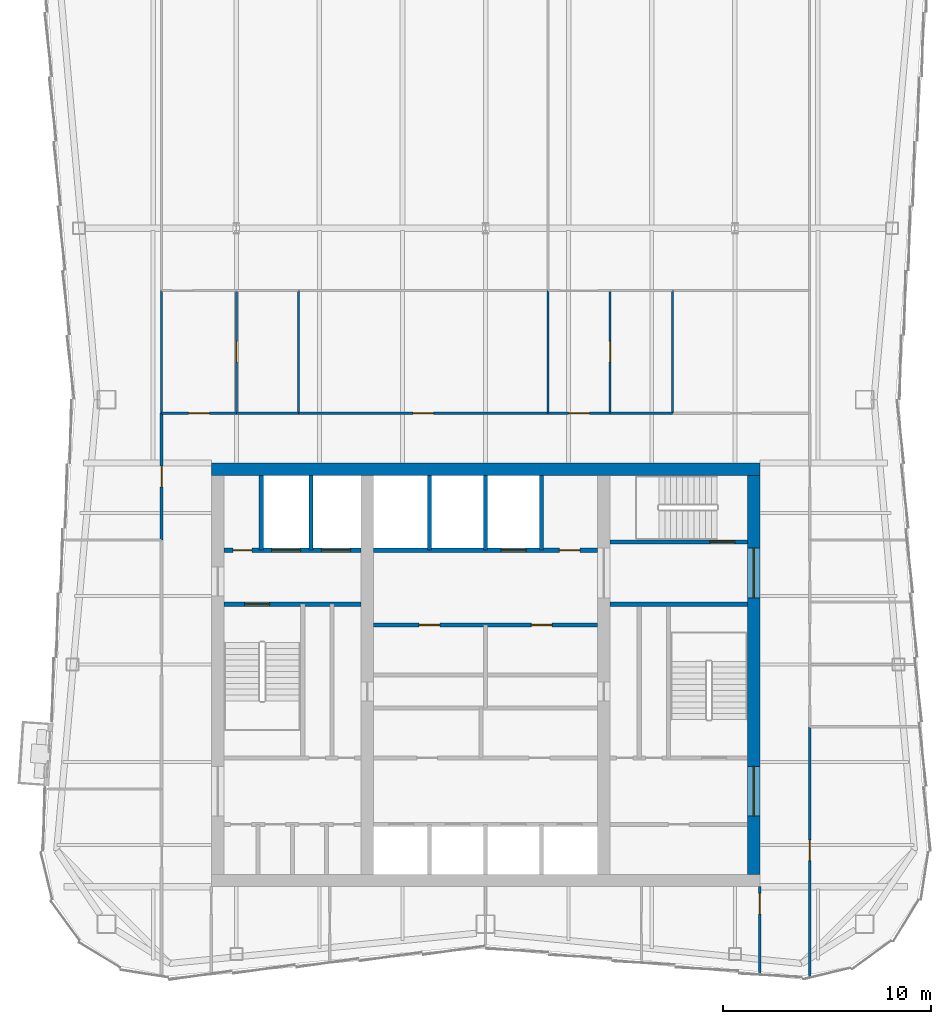
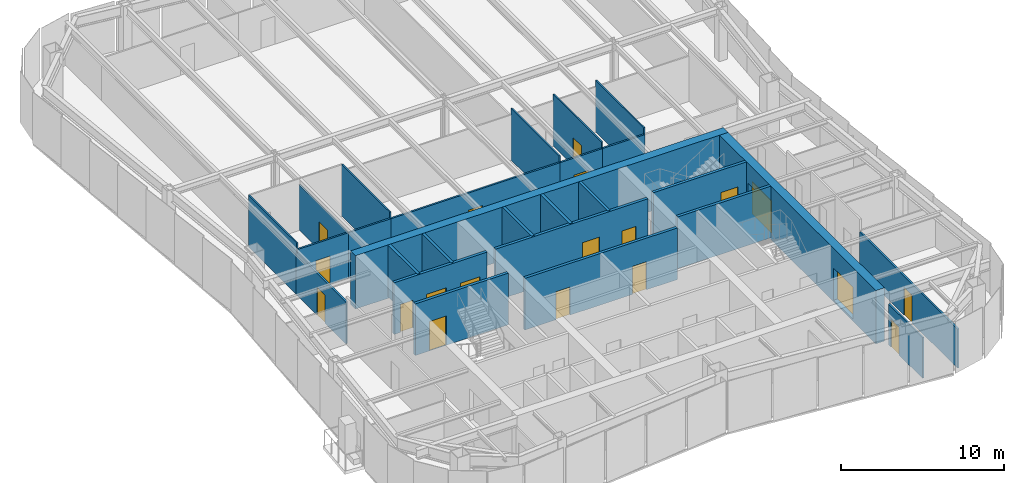
# One storey, part 7 of 10: 27 walls, 19 doors, 19 openings.
"""IFC4 building model written with IfcOpenShell, lengths in metres."""

from ifc_helpers import new_model, si_unit, direction, frame, frame_2d, origin, place, context, subcontext, project, spatial, rectangle, extrude, material, layer, layer_set, type_object, element, fill, save


model = new_model("IFC4")

# Units and contexts
model_context = context("Model", 3, precision=1e-05, world=origin(), true_north=direction((0.0, 1.0)))
body_context = subcontext(model_context, "Body", "Model", "MODEL_VIEW")
ifc_project = project(units=[si_unit("LENGTHUNIT", "METRE"), si_unit("AREAUNIT", "SQUARE_METRE"), si_unit("VOLUMEUNIT", "CUBIC_METRE"), si_unit("PLANEANGLEUNIT", "RADIAN"), si_unit("MASSUNIT", "GRAM", prefix="KILO")], contexts=[model_context])

# Site, building, storey
site_placement = place(None, origin())
site = spatial("IfcSite", under=ifc_project, at=site_placement, CompositionType="ELEMENT")
building_placement = place(site_placement, origin())
building = spatial("IfcBuilding", under=site, at=building_placement, Name="Verdant Reach Tower", CompositionType="ELEMENT")
storey_placement = place(building_placement, frame((0.0, 0.0, 302.0)))
storey = spatial("IfcBuildingStorey", under=building, at=storey_placement, Name="L69", CompositionType="ELEMENT", Elevation=302.0)

# Wall, openings, doors
ifc_material_1 = material(Name="Gypsum board on steel studs", Category="steel")
ifc_layer_1 = layer(ifc_material_1, 0.199951171875)
ifc_layer_set_1 = layer_set([ifc_layer_1], Name="CO-WALL-ROOM")
wall_type_1 = type_object("IfcWallType", Name="CO-WALL-ROOM", PredefinedType="PARTITIONING", material=ifc_layer_set_1)
wall_1_placement = place(storey_placement, frame((-5.39990234375, 30.39990234375, 0.0), z_axis=(0.0, 0.0, 1.0), x_axis=(1.0, 0.0, 0.0)))
wall_1 = element("IfcWall", 1, at=wall_1_placement, inside=storey, type_object=wall_type_1, Name="Core partition, L69", PredefinedType="PARTITIONING", context=body_context, shape_type="SweptSolid", body=[
    extrude(rectangle(XDim=10.7998046875, YDim=0.199951171875, at=frame_2d((5.39990234375, 0.0))), origin(), (0.0, 0.0, 1.0), 3.8701171875),
])
opening_1_placement = place(wall_1_placement, frame((2.199951171875, 0.0, 0.0)))
opening_1 = element("IfcOpeningElement", 2, at=opening_1_placement, cuts=wall_1, Name="Opening CD", PredefinedType="OPENING", context=body_context, shape_type="SweptSolid", body=[
    extrude(rectangle(XDim=1.0, YDim=2.10009765625, at=frame_2d((0.5, 1.050048828125))), frame((0.0, 0.10986328125, 0.0), z_axis=(0.0, -1.0, 0.0), x_axis=(1.0, 0.0, 0.0)), (0.0, 0.0, 1.0), 0.219970703125),
])
opening_2_placement = place(wall_1_placement, frame((7.60009765625, 0.0, 0.0)))
opening_2 = element("IfcOpeningElement", 3, at=opening_2_placement, cuts=wall_1, Name="Opening CD", PredefinedType="OPENING", context=body_context, shape_type="SweptSolid", body=[
    extrude(rectangle(XDim=1.0, YDim=2.10009765625, at=frame_2d((0.5, 1.050048828125))), frame((0.0, 0.10986328125, 0.0), z_axis=(0.0, -1.0, 0.0), x_axis=(1.0, 0.0, 0.0)), (0.0, 0.0, 1.0), 0.219970703125),
])
ifc_material_2 = material(Name="Timber", Category="wood")
door_type_1 = type_object("IfcDoorType", Name="CO-DOOR-ROOM", OperationType="NOTDEFINED", PredefinedType="DOOR", material=ifc_material_2)
door_1_placement = place(opening_1_placement, origin())
door_1 = element("IfcDoor", 4, at=door_1_placement, inside=storey, type_object=door_type_1, Name="Core room door, L69", OperationType="SINGLE_SWING_LEFT", OverallHeight=2.10009765625, OverallWidth=1.0, PredefinedType="DOOR", context=body_context, shape_type="SweptSolid", body=[
    extrude(rectangle(XDim=1.0, YDim=2.10009765625, at=frame_2d((0.5, 1.050048828125))), frame((0.0, 0.02490234375, 0.0), z_axis=(0.0, -1.0, 0.0), x_axis=(1.0, 0.0, 0.0)), (0.0, 0.0, 1.0), 0.050048828125),
])
fill(opening_1, door_1)
door_2_placement = place(opening_2_placement, origin())
door_2 = element("IfcDoor", 5, at=door_2_placement, inside=storey, type_object=door_type_1, Name="Core room door, L69", OperationType="SINGLE_SWING_RIGHT", OverallHeight=2.10009765625, OverallWidth=1.0, PredefinedType="DOOR", context=body_context, shape_type="SweptSolid", body=[
    extrude(rectangle(XDim=1.0, YDim=2.10009765625, at=frame_2d((0.5, 1.050048828125))), frame((0.0, 0.02490234375, 0.0), z_axis=(0.0, -1.0, 0.0), x_axis=(1.0, 0.0, 0.0)), (0.0, 0.0, 1.0), 0.050048828125),
])
fill(opening_2, door_2)

ifc_material_3 = material(Name="Concrete C40/50", Category="concrete")
ifc_layer_2 = layer(ifc_material_3, 0.199951171875)
ifc_layer_set_2 = layer_set([ifc_layer_2], Name="CO-WALL-SHAFT")
wall_type_2 = type_object("IfcWallType", Name="CO-WALL-SHAFT", PredefinedType="PARTITIONING", material=ifc_layer_set_2)
wall_2_placement = place(storey_placement, frame((-12.60009765625, 34.0, 0.0), z_axis=(0.0, 0.0, 1.0), x_axis=(1.0, 0.0, 0.0)))
wall_2 = element("IfcWall", 6, at=wall_2_placement, inside=storey, type_object=wall_type_2, Name="Lift shaft wall, L69", PredefinedType="PARTITIONING", context=body_context, shape_type="SweptSolid", body=[
    extrude(rectangle(XDim=6.60009765625, YDim=0.199951171875, at=frame_2d((3.300048828125, 0.0))), origin(), (0.0, 0.0, 1.0), 3.8701171875),
])
opening_3_placement = place(wall_2_placement, frame((4.699951171875, 0.0, 0.0)))
opening_3 = element("IfcOpeningElement", 7, at=opening_3_placement, cuts=wall_2, Name="Opening LD-F1", PredefinedType="OPENING", context=body_context, shape_type="SweptSolid", body=[
    extrude(rectangle(XDim=1.39990234375, YDim=2.199951171875, at=frame_2d((0.699951171875, 1.10009765625))), frame((0.0, 0.10986328125, 0.0), z_axis=(0.0, -1.0, 0.0), x_axis=(1.0, 0.0, 0.0)), (0.0, 0.0, 1.0), 0.219970703125),
])
opening_4_placement = place(wall_2_placement, frame((2.300048828125, 0.0, 0.0)))
opening_4 = element("IfcOpeningElement", 8, at=opening_4_placement, cuts=wall_2, Name="Opening LD-F2", PredefinedType="OPENING", context=body_context, shape_type="SweptSolid", body=[
    extrude(rectangle(XDim=1.39990234375, YDim=2.199951171875, at=frame_2d((0.699951171875, 1.10009765625))), frame((0.0, 0.10986328125, 0.0), z_axis=(0.0, -1.0, 0.0), x_axis=(1.0, 0.0, 0.0)), (0.0, 0.0, 1.0), 0.219970703125),
])
opening_5_placement = place(wall_2_placement, frame((0.449951171875, 0.0, 0.0)))
opening_5 = element("IfcOpeningElement", 9, at=opening_5_placement, cuts=wall_2, Name="Opening RD", PredefinedType="OPENING", context=body_context, shape_type="SweptSolid", body=[
    extrude(rectangle(XDim=0.89990234375, YDim=2.10009765625, at=frame_2d((0.449951171875, 1.050048828125))), frame((0.0, 0.10986328125, 0.0), z_axis=(0.0, -1.0, 0.0), x_axis=(1.0, 0.0, 0.0)), (0.0, 0.0, 1.0), 0.219970703125),
])
ifc_material_4 = material(Name="Stainless steel", Category="steel")
door_type_2 = type_object("IfcDoorType", Name="CO-DOOR-LANDING-FF", OperationType="SLIDING_TO_LEFT", PredefinedType="DOOR", material=ifc_material_4)
door_3_placement = place(opening_3_placement, origin())
door_3 = element("IfcDoor", 10, at=door_3_placement, inside=storey, type_object=door_type_2, Name="Landing door F1, L69", OperationType="SLIDING_TO_LEFT", OverallHeight=2.199951171875, OverallWidth=1.39990234375, PredefinedType="DOOR", context=body_context, shape_type="SweptSolid", body=[
    extrude(rectangle(XDim=1.39990234375, YDim=2.199951171875, at=frame_2d((0.699951171875, 1.10009765625))), frame((0.0, 0.02490234375, 0.0), z_axis=(0.0, -1.0, 0.0), x_axis=(1.0, 0.0, 0.0)), (0.0, 0.0, 1.0), 0.050048828125),
])
fill(opening_3, door_3)
door_4_placement = place(opening_4_placement, origin())
door_4 = element("IfcDoor", 11, at=door_4_placement, inside=storey, type_object=door_type_2, Name="Landing door F2, L69", OperationType="SLIDING_TO_LEFT", OverallHeight=2.199951171875, OverallWidth=1.39990234375, PredefinedType="DOOR", context=body_context, shape_type="SweptSolid", body=[
    extrude(rectangle(XDim=1.39990234375, YDim=2.199951171875, at=frame_2d((0.699951171875, 1.10009765625))), frame((0.0, 0.02490234375, 0.0), z_axis=(0.0, -1.0, 0.0), x_axis=(1.0, 0.0, 0.0)), (0.0, 0.0, 1.0), 0.050048828125),
])
fill(opening_4, door_4)
ifc_material_5 = material(Name="Steel", Category="steel")
door_type_3 = type_object("IfcDoorType", Name="CO-DOOR-RISER", OperationType="NOTDEFINED", PredefinedType="DOOR", material=ifc_material_5)
door_5_placement = place(opening_5_placement, origin())
door_5 = element("IfcDoor", 12, at=door_5_placement, inside=storey, type_object=door_type_3, Name="Core room door, L69", OperationType="SINGLE_SWING_RIGHT", OverallHeight=2.10009765625, OverallWidth=0.89990234375, PredefinedType="DOOR", context=body_context, shape_type="SweptSolid", body=[
    extrude(rectangle(XDim=0.89990234375, YDim=2.10009765625, at=frame_2d((0.449951171875, 1.050048828125))), frame((0.0, 0.02490234375, 0.0), z_axis=(0.0, -1.0, 0.0), x_axis=(1.0, 0.0, 0.0)), (0.0, 0.0, 1.0), 0.050048828125),
])
fill(opening_5, door_5)

wall_3_placement = place(storey_placement, frame((-5.39990234375, 34.0, 0.0), z_axis=(0.0, 0.0, 1.0), x_axis=(1.0, 0.0, 0.0)))
wall_3 = element("IfcWall", 13, at=wall_3_placement, inside=storey, type_object=wall_type_2, Name="Lift shaft wall, L69", PredefinedType="PARTITIONING", context=body_context, shape_type="SweptSolid", body=[
    extrude(rectangle(XDim=10.7998046875, YDim=0.199951171875, at=frame_2d((5.39990234375, 0.0))), origin(), (0.0, 0.0, 1.0), 3.8701171875),
])
opening_6_placement = place(wall_3_placement, frame((6.14990234375, 0.0, 0.0)))
opening_6 = element("IfcOpeningElement", 14, at=opening_6_placement, cuts=wall_3, Name="Opening LD-SL1", PredefinedType="OPENING", context=body_context, shape_type="SweptSolid", body=[
    extrude(rectangle(XDim=1.199951171875, YDim=2.199951171875, at=frame_2d((0.60009765625, 1.10009765625))), frame((0.0, 0.10986328125, 0.0), z_axis=(0.0, -1.0, 0.0), x_axis=(1.0, 0.0, 0.0)), (0.0, 0.0, 1.0), 0.219970703125),
])
opening_7_placement = place(wall_3_placement, frame((8.949951171875, 0.0, 0.0)))
opening_7 = element("IfcOpeningElement", 15, at=opening_7_placement, cuts=wall_3, Name="Opening CD", PredefinedType="OPENING", context=body_context, shape_type="SweptSolid", body=[
    extrude(rectangle(XDim=1.0, YDim=2.10009765625, at=frame_2d((0.5, 1.050048828125))), frame((0.0, 0.10986328125, 0.0), z_axis=(0.0, -1.0, 0.0), x_axis=(1.0, 0.0, 0.0)), (0.0, 0.0, 1.0), 0.219970703125),
])
door_type_4 = type_object("IfcDoorType", Name="CO-DOOR-LANDING", OperationType="SLIDING_TO_LEFT", PredefinedType="DOOR", material=ifc_material_4)
door_6_placement = place(opening_6_placement, origin())
door_6 = element("IfcDoor", 16, at=door_6_placement, inside=storey, type_object=door_type_4, Name="Landing door SL1, L69", OperationType="SLIDING_TO_LEFT", OverallHeight=2.199951171875, OverallWidth=1.199951171875, PredefinedType="DOOR", context=body_context, shape_type="SweptSolid", body=[
    extrude(rectangle(XDim=1.199951171875, YDim=2.199951171875, at=frame_2d((0.60009765625, 1.10009765625))), frame((0.0, 0.02490234375, 0.0), z_axis=(0.0, -1.0, 0.0), x_axis=(1.0, 0.0, 0.0)), (0.0, 0.0, 1.0), 0.050048828125),
])
fill(opening_6, door_6)
door_7_placement = place(opening_7_placement, origin())
door_7 = element("IfcDoor", 17, at=door_7_placement, inside=storey, type_object=door_type_1, Name="Core room door, L69", OperationType="SINGLE_SWING_LEFT", OverallHeight=2.10009765625, OverallWidth=1.0, PredefinedType="DOOR", context=body_context, shape_type="SweptSolid", body=[
    extrude(rectangle(XDim=1.0, YDim=2.10009765625, at=frame_2d((0.5, 1.050048828125))), frame((0.0, 0.02490234375, 0.0), z_axis=(0.0, -1.0, 0.0), x_axis=(1.0, 0.0, 0.0)), (0.0, 0.0, 1.0), 0.050048828125),
])
fill(opening_7, door_7)

# Walls
for number, where, z_axis, x_axis, name in (
    (18, (-10.800048828125, 34.0, 0.0), (0.0, 0.0, 1.0), (0.0, 1.0, 0.0), "Lift shaft wall, L69"),
    (19, (-8.39990234375, 34.0, 0.0), (0.0, 0.0, 1.0), (0.0, 1.0, 0.0), "Lift shaft wall, L69"),
    (20, (-2.699951171875, 34.0, 0.0), (0.0, 0.0, 1.0), (0.0, 1.0, 0.0), "Lift shaft wall, L69"),
    (21, (0.0, 34.0, 0.0), (0.0, 0.0, 1.0), (0.0, 1.0, 0.0), "Lift shaft wall, L69"),
    (22, (2.699951171875, 34.0, 0.0), (0.0, 0.0, 1.0), (0.0, 1.0, 0.0), "Lift shaft wall, L69"),
):
    element("IfcWall", number, at=place(storey_placement, frame(where, z_axis=z_axis, x_axis=x_axis)), inside=storey, type_object=wall_type_2, Name=name, PredefinedType="PARTITIONING", context=body_context, shape_type="SweptSolid", body=[
        extrude(rectangle(XDim=3.60009765625, YDim=0.199951171875, at=frame_2d((1.800048828125, 0.0))), origin(), (0.0, 0.0, 1.0), 3.8701171875),
    ])

# Wall, opening, door
ifc_layer_3 = layer(ifc_material_3, 0.199951171875)
ifc_layer_set_3 = layer_set([ifc_layer_3], Name="CO-WALL-STAIR")
wall_type_3 = type_object("IfcWallType", Name="CO-WALL-STAIR", PredefinedType="PARTITIONING", material=ifc_layer_set_3)
wall_4_placement = place(storey_placement, frame((-12.60009765625, 31.39990234375, 0.0), z_axis=(0.0, 0.0, 1.0), x_axis=(1.0, 0.0, 0.0)))
wall_4 = element("IfcWall", 23, at=wall_4_placement, inside=storey, type_object=wall_type_3, Name="Stair enclosure wall, L69", PredefinedType="PARTITIONING", context=body_context, shape_type="SweptSolid", body=[
    extrude(rectangle(XDim=6.60009765625, YDim=0.199951171875, at=frame_2d((3.300048828125, 0.0))), origin(), (0.0, 0.0, 1.0), 3.8701171875),
])
opening_8_placement = place(wall_4_placement, frame((1.0, 0.0, 0.0)))
opening_8 = element("IfcOpeningElement", 24, at=opening_8_placement, cuts=wall_4, Name="Opening SD", PredefinedType="OPENING", context=body_context, shape_type="SweptSolid", body=[
    extrude(rectangle(XDim=1.199951171875, YDim=2.199951171875, at=frame_2d((0.60009765625, 1.10009765625))), frame((0.0, 0.10986328125, 0.0), z_axis=(0.0, -1.0, 0.0), x_axis=(1.0, 0.0, 0.0)), (0.0, 0.0, 1.0), 0.219970703125),
])
door_type_5 = type_object("IfcDoorType", Name="CO-DOOR-STAIR", OperationType="NOTDEFINED", PredefinedType="DOOR", material=ifc_material_5)
door_8_placement = place(opening_8_placement, origin())
door_8 = element("IfcDoor", 25, at=door_8_placement, inside=storey, type_object=door_type_5, Name="Stair door, L69", OperationType="SINGLE_SWING_RIGHT", OverallHeight=2.199951171875, OverallWidth=1.199951171875, PredefinedType="DOOR", context=body_context, shape_type="SweptSolid", body=[
    extrude(rectangle(XDim=1.199951171875, YDim=2.199951171875, at=frame_2d((0.60009765625, 1.10009765625))), frame((0.0, 0.02490234375, 0.0), z_axis=(0.0, -1.0, 0.0), x_axis=(1.0, 0.0, 0.0)), (0.0, 0.0, 1.0), 0.050048828125),
])
fill(opening_8, door_8)

# Wall
wall_5_placement = place(storey_placement, frame((6.0, 31.39990234375, 0.0), z_axis=(0.0, 0.0, 1.0), x_axis=(1.0, 0.0, 0.0)))
element("IfcWall", 26, at=wall_5_placement, inside=storey, type_object=wall_type_3, Name="Stair enclosure wall, L69", PredefinedType="PARTITIONING", context=body_context, shape_type="SweptSolid", body=[
    extrude(rectangle(XDim=6.60009765625, YDim=0.199951171875, at=frame_2d((3.300048828125, 0.0))), origin(), (0.0, 0.0, 1.0), 3.8701171875),
])

# Wall, opening, door
wall_6_placement = place(storey_placement, frame((6.0, 34.39990234375, 0.0), z_axis=(0.0, 0.0, 1.0), x_axis=(1.0, 0.0, 0.0)))
wall_6 = element("IfcWall", 27, at=wall_6_placement, inside=storey, type_object=wall_type_3, Name="Stair enclosure wall, L69", PredefinedType="PARTITIONING", context=body_context, shape_type="SweptSolid", body=[
    extrude(rectangle(XDim=6.60009765625, YDim=0.199951171875, at=frame_2d((3.300048828125, 0.0))), origin(), (0.0, 0.0, 1.0), 3.8701171875),
])
opening_9_placement = place(wall_6_placement, frame((4.800048828125, 0.0, 0.0)))
opening_9 = element("IfcOpeningElement", 28, at=opening_9_placement, cuts=wall_6, Name="Opening SD", PredefinedType="OPENING", context=body_context, shape_type="SweptSolid", body=[
    extrude(rectangle(XDim=1.199951171875, YDim=2.199951171875, at=frame_2d((0.60009765625, 1.10009765625))), frame((0.0, 0.10986328125, 0.0), z_axis=(0.0, -1.0, 0.0), x_axis=(1.0, 0.0, 0.0)), (0.0, 0.0, 1.0), 0.219970703125),
])
door_9_placement = place(opening_9_placement, origin())
door_9 = element("IfcDoor", 29, at=door_9_placement, inside=storey, type_object=door_type_5, Name="Stair door, L69", OperationType="SINGLE_SWING_RIGHT", OverallHeight=2.199951171875, OverallWidth=1.199951171875, PredefinedType="DOOR", context=body_context, shape_type="SweptSolid", body=[
    extrude(rectangle(XDim=1.199951171875, YDim=2.199951171875, at=frame_2d((0.60009765625, 1.10009765625))), frame((0.0, 0.02490234375, 0.0), z_axis=(0.0, -1.0, 0.0), x_axis=(1.0, 0.0, 0.0)), (0.0, 0.0, 1.0), 0.050048828125),
])
fill(opening_9, door_9)

# Wall
ifc_layer_4 = layer(ifc_material_1, 0.10009765625)
ifc_layer_set_4 = layer_set([ifc_layer_4], Name="FL-W1 Partition 100")
wall_type_4 = type_object("IfcWallType", Name="FL-W1 Partition 100", PredefinedType="PARTITIONING", material=ifc_layer_set_4)
wall_7_placement = place(storey_placement, frame((-15.60009765625, 40.60009765625, 0.0), z_axis=(0.0, 0.0, 1.0), x_axis=(0.0, 1.0, 0.0)))
element("IfcWall", 30, at=wall_7_placement, inside=storey, type_object=wall_type_4, Name="Partition 69.19", PredefinedType="PARTITIONING", context=body_context, shape_type="SweptSolid", body=[
    extrude(rectangle(XDim=5.89990234375, YDim=0.10009765625, at=frame_2d((2.949951171875, 0.0))), origin(), (0.0, 0.0, 1.0), 3.8701171875),
])

# Wall, opening, door
wall_8_placement = place(storey_placement, frame((-12.0, 46.5, 0.0), z_axis=(0.0, 0.0, 1.0), x_axis=(0.0, -1.0, 0.0)))
wall_8 = element("IfcWall", 31, at=wall_8_placement, inside=storey, type_object=wall_type_4, Name="Partition 69.32", PredefinedType="PARTITIONING", context=body_context, shape_type="SweptSolid", body=[
    extrude(rectangle(XDim=5.89990234375, YDim=0.10009765625, at=frame_2d((2.949951171875, 0.0))), origin(), (0.0, 0.0, 1.0), 3.389892578125),
])
opening_10_placement = place(wall_8_placement, frame((2.449951171875, 0.0, 0.0)))
opening_10 = element("IfcOpeningElement", 32, at=opening_10_placement, cuts=wall_8, Name="Opening D3", PredefinedType="OPENING", context=body_context, shape_type="SweptSolid", body=[
    extrude(rectangle(XDim=1.0, YDim=2.10009765625, at=frame_2d((0.5, 1.050048828125))), frame((0.0, 0.06005859375, 0.0), z_axis=(0.0, -1.0, 0.0), x_axis=(1.0, 0.0, 0.0)), (0.0, 0.0, 1.0), 0.1201171875),
])
ifc_material_6 = material(Name="Painted timber door leaf", Category="wood")
door_type_6 = type_object("IfcDoorType", Name="FL-D3 Door 1000x2100", OperationType="NOTDEFINED", PredefinedType="DOOR", material=ifc_material_6)
door_10_placement = place(opening_10_placement, origin())
door_10 = element("IfcDoor", 33, at=door_10_placement, inside=storey, type_object=door_type_6, Name="Door 69-017", OperationType="SINGLE_SWING_LEFT", OverallHeight=2.10009765625, OverallWidth=1.0, PredefinedType="DOOR", context=body_context, shape_type="SweptSolid", body=[
    extrude(rectangle(XDim=1.0, YDim=2.10009765625, at=frame_2d((0.5, 1.050048828125))), frame((0.0, 0.02490234375, 0.0), z_axis=(0.0, -1.0, 0.0), x_axis=(1.0, 0.0, 0.0)), (0.0, 0.0, 1.0), 0.050048828125),
])
fill(opening_10, door_10)

# Walls
for number, where, z_axis, x_axis, name in (
    (34, (-9.0, 40.60009765625, 0.0), (0.0, 0.0, 1.0), (0.0, 1.0, 0.0), "Partition 69.34"),
    (35, (3.0, 40.60009765625, 0.0), (0.0, 0.0, 1.0), (0.0, 1.0, 0.0), "Partition 69.37"),
):
    element("IfcWall", number, at=place(storey_placement, frame(where, z_axis=z_axis, x_axis=x_axis)), inside=storey, type_object=wall_type_4, Name=name, PredefinedType="PARTITIONING", context=body_context, shape_type="SweptSolid", body=[
        extrude(rectangle(XDim=5.89990234375, YDim=0.10009765625, at=frame_2d((2.949951171875, 0.0))), origin(), (0.0, 0.0, 1.0), 3.8701171875),
    ])

# Wall, opening, door
wall_9_placement = place(storey_placement, frame((6.0, 46.5, 0.0), z_axis=(0.0, 0.0, 1.0), x_axis=(0.0, -1.0, 0.0)))
wall_9 = element("IfcWall", 36, at=wall_9_placement, inside=storey, type_object=wall_type_4, Name="Partition 69.43", PredefinedType="PARTITIONING", context=body_context, shape_type="SweptSolid", body=[
    extrude(rectangle(XDim=5.89990234375, YDim=0.10009765625, at=frame_2d((2.949951171875, 0.0))), origin(), (0.0, 0.0, 1.0), 3.8701171875),
])
opening_11_placement = place(wall_9_placement, frame((2.449951171875, 0.0, 0.0)))
opening_11 = element("IfcOpeningElement", 37, at=opening_11_placement, cuts=wall_9, Name="Opening D3", PredefinedType="OPENING", context=body_context, shape_type="SweptSolid", body=[
    extrude(rectangle(XDim=1.0, YDim=2.10009765625, at=frame_2d((0.5, 1.050048828125))), frame((0.0, 0.06005859375, 0.0), z_axis=(0.0, -1.0, 0.0), x_axis=(1.0, 0.0, 0.0)), (0.0, 0.0, 1.0), 0.1201171875),
])
door_11_placement = place(opening_11_placement, origin())
door_11 = element("IfcDoor", 38, at=door_11_placement, inside=storey, type_object=door_type_6, Name="Door 69-021", OperationType="SINGLE_SWING_LEFT", OverallHeight=2.10009765625, OverallWidth=1.0, PredefinedType="DOOR", context=body_context, shape_type="SweptSolid", body=[
    extrude(rectangle(XDim=1.0, YDim=2.10009765625, at=frame_2d((0.5, 1.050048828125))), frame((0.0, 0.02490234375, 0.0), z_axis=(0.0, -1.0, 0.0), x_axis=(1.0, 0.0, 0.0)), (0.0, 0.0, 1.0), 0.050048828125),
])
fill(opening_11, door_11)

# Wall
wall_10_placement = place(storey_placement, frame((9.0, 40.60009765625, 0.0), z_axis=(0.0, 0.0, 1.0), x_axis=(0.0, 1.0, 0.0)))
element("IfcWall", 39, at=wall_10_placement, inside=storey, type_object=wall_type_4, Name="Partition 69.45", PredefinedType="PARTITIONING", context=body_context, shape_type="SweptSolid", body=[
    extrude(rectangle(XDim=5.89990234375, YDim=0.10009765625, at=frame_2d((2.949951171875, 0.0))), origin(), (0.0, 0.0, 1.0), 3.8701171875),
])

# Wall, opening, door
ifc_material_7 = material(Name="Gypsum board on steel studs, fire rated", Category="steel")
ifc_layer_5 = layer(ifc_material_7, 0.125)
ifc_layer_set_5 = layer_set([ifc_layer_5], Name="FL-W2 Corridor wall 125")
wall_type_5 = type_object("IfcWallType", Name="FL-W2 Corridor wall 125", PredefinedType="PARTITIONING", material=ifc_layer_set_5)
wall_11_placement = place(storey_placement, frame((-15.60009765625, 34.5, 0.0), z_axis=(0.0, 0.0, 1.0), x_axis=(0.0, 1.0, 0.0)))
wall_11 = element("IfcWall", 40, at=wall_11_placement, inside=storey, type_object=wall_type_5, Name="Partition 69.03", PredefinedType="PARTITIONING", context=body_context, shape_type="SweptSolid", body=[
    extrude(rectangle(XDim=6.10400390625, YDim=0.125, at=frame_2d((3.052001953125, 0.0))), origin(), (0.0, 0.0, 1.0), 3.139892578125),
])
opening_12_placement = place(wall_11_placement, frame((2.552001953125, 0.0, 0.0)))
opening_12 = element("IfcOpeningElement", 41, at=opening_12_placement, cuts=wall_11, Name="Opening D2", PredefinedType="OPENING", context=body_context, shape_type="SweptSolid", body=[
    extrude(rectangle(XDim=1.0, YDim=2.10009765625, at=frame_2d((0.5, 1.050048828125))), frame((0.0, 0.072509765625, 0.0), z_axis=(0.0, -1.0, 0.0), x_axis=(1.0, 0.0, 0.0)), (0.0, 0.0, 1.0), 0.14501953125),
])
ifc_material_8 = material(Name="Timber door leaf, fire rated", Category="wood")
door_type_7 = type_object("IfcDoorType", Name="FL-D2 Entrance door 1000x2100 FD30", OperationType="NOTDEFINED", PredefinedType="DOOR", material=ifc_material_8)
door_12_placement = place(opening_12_placement, origin())
door_12 = element("IfcDoor", 42, at=door_12_placement, inside=storey, type_object=door_type_7, Name="Door 69-003", OperationType="SINGLE_SWING_LEFT", OverallHeight=2.10009765625, OverallWidth=1.0, PredefinedType="DOOR", context=body_context, shape_type="SweptSolid", body=[
    extrude(rectangle(XDim=1.0, YDim=2.10009765625, at=frame_2d((0.5, 1.050048828125))), frame((0.0, 0.02490234375, 0.0), z_axis=(0.0, -1.0, 0.0), x_axis=(1.0, 0.0, 0.0)), (0.0, 0.0, 1.0), 0.050048828125),
])
fill(opening_12, door_12)

wall_12_placement = place(storey_placement, frame((15.60009765625, 25.5, 0.0), z_axis=(0.0, 0.0, 1.0), x_axis=(0.0, -1.0, 0.0)))
wall_12 = element("IfcWall", 43, at=wall_12_placement, inside=storey, type_object=wall_type_5, Name="Partition 69.04", PredefinedType="PARTITIONING", context=body_context, shape_type="SweptSolid", body=[
    extrude(rectangle(XDim=12.010498046875, YDim=0.125, at=frame_2d((6.00537109375, 0.0))), origin(), (0.0, 0.0, 1.0), 2.929931640625),
])
opening_13_placement = place(wall_12_placement, frame((5.439697265625, 0.0, 0.0)))
opening_13 = element("IfcOpeningElement", 44, at=opening_13_placement, cuts=wall_12, Name="Opening D2", PredefinedType="OPENING", context=body_context, shape_type="SweptSolid", body=[
    extrude(rectangle(XDim=1.0, YDim=2.10009765625, at=frame_2d((0.5, 1.050048828125))), frame((0.0, 0.072509765625, 0.0), z_axis=(0.0, -1.0, 0.0), x_axis=(1.0, 0.0, 0.0)), (0.0, 0.0, 1.0), 0.14501953125),
])
door_13_placement = place(opening_13_placement, origin())
door_13 = element("IfcDoor", 45, at=door_13_placement, inside=storey, type_object=door_type_7, Name="Door 69-004", OperationType="SINGLE_SWING_LEFT", OverallHeight=2.10009765625, OverallWidth=1.0, PredefinedType="DOOR", context=body_context, shape_type="SweptSolid", body=[
    extrude(rectangle(XDim=1.0, YDim=2.10009765625, at=frame_2d((0.5, 1.050048828125))), frame((0.0, 0.02490234375, 0.0), z_axis=(0.0, -1.0, 0.0), x_axis=(1.0, 0.0, 0.0)), (0.0, 0.0, 1.0), 0.050048828125),
])
fill(opening_13, door_13)

wall_13_placement = place(storey_placement, frame((13.199951171875, 13.62158203125, 0.0), z_axis=(0.0, 0.0, 1.0), x_axis=(0.0, 1.0, 0.0)))
wall_13 = element("IfcWall", 46, at=wall_13_placement, inside=storey, type_object=wall_type_5, Name="Partition 69.10", PredefinedType="PARTITIONING", context=body_context, shape_type="SweptSolid", body=[
    extrude(rectangle(XDim=4.178466796875, YDim=0.125, at=frame_2d((2.08935546875, 0.0))), origin(), (0.0, 0.0, 1.0), 3.0400390625),
])
opening_14_placement = place(wall_13_placement, frame((2.854248046875, 0.0, 0.0)))
opening_14 = element("IfcOpeningElement", 47, at=opening_14_placement, cuts=wall_13, Name="Opening D2", PredefinedType="OPENING", context=body_context, shape_type="SweptSolid", body=[
    extrude(rectangle(XDim=1.0, YDim=2.10009765625, at=frame_2d((0.5, 1.050048828125))), frame((0.0, 0.072509765625, 0.0), z_axis=(0.0, -1.0, 0.0), x_axis=(1.0, 0.0, 0.0)), (0.0, 0.0, 1.0), 0.14501953125),
])
door_14_placement = place(opening_14_placement, origin())
door_14 = element("IfcDoor", 48, at=door_14_placement, inside=storey, type_object=door_type_7, Name="Door 69-010", OperationType="SINGLE_SWING_RIGHT", OverallHeight=2.10009765625, OverallWidth=1.0, PredefinedType="DOOR", context=body_context, shape_type="SweptSolid", body=[
    extrude(rectangle(XDim=1.0, YDim=2.10009765625, at=frame_2d((0.5, 1.050048828125))), frame((0.0, 0.02490234375, 0.0), z_axis=(0.0, -1.0, 0.0), x_axis=(1.0, 0.0, 0.0)), (0.0, 0.0, 1.0), 0.050048828125),
])
fill(opening_14, door_14)

wall_14_placement = place(storey_placement, frame((-15.60009765625, 40.60009765625, 0.0), z_axis=(0.0, 0.0, 1.0), x_axis=(1.0, 0.0, 0.0)))
wall_14 = element("IfcWall", 49, at=wall_14_placement, inside=storey, type_object=wall_type_5, Name="Partition 69.11", PredefinedType="PARTITIONING", context=body_context, shape_type="SweptSolid", body=[
    extrude(rectangle(XDim=3.60009765625, YDim=0.125, at=frame_2d((1.800048828125, 0.0))), origin(), (0.0, 0.0, 1.0), 3.389892578125),
])
opening_15_placement = place(wall_14_placement, frame((1.300048828125, 0.0, 0.0)))
opening_15 = element("IfcOpeningElement", 50, at=opening_15_placement, cuts=wall_14, Name="Opening D2", PredefinedType="OPENING", context=body_context, shape_type="SweptSolid", body=[
    extrude(rectangle(XDim=1.0, YDim=2.10009765625, at=frame_2d((0.5, 1.050048828125))), frame((0.0, 0.072509765625, 0.0), z_axis=(0.0, -1.0, 0.0), x_axis=(1.0, 0.0, 0.0)), (0.0, 0.0, 1.0), 0.14501953125),
])
door_15_placement = place(opening_15_placement, origin())
door_15 = element("IfcDoor", 51, at=door_15_placement, inside=storey, type_object=door_type_7, Name="Door 69-011", OperationType="SINGLE_SWING_LEFT", OverallHeight=2.10009765625, OverallWidth=1.0, PredefinedType="DOOR", context=body_context, shape_type="SweptSolid", body=[
    extrude(rectangle(XDim=1.0, YDim=2.10009765625, at=frame_2d((0.5, 1.050048828125))), frame((0.0, 0.02490234375, 0.0), z_axis=(0.0, -1.0, 0.0), x_axis=(1.0, 0.0, 0.0)), (0.0, 0.0, 1.0), 0.050048828125),
])
fill(opening_15, door_15)

# Wall
wall_15_placement = place(storey_placement, frame((-9.0, 40.60009765625, 0.0), z_axis=(0.0, 0.0, 1.0), x_axis=(-1.0, 0.0, 0.0)))
element("IfcWall", 52, at=wall_15_placement, inside=storey, type_object=wall_type_5, Name="Partition 69.12", PredefinedType="PARTITIONING", context=body_context, shape_type="SweptSolid", body=[
    extrude(rectangle(XDim=3.0, YDim=0.125, at=frame_2d((1.5, 0.0))), origin(), (0.0, 0.0, 1.0), 3.389892578125),
])

# Wall, opening, door
wall_16_placement = place(storey_placement, frame((-9.0, 40.60009765625, 0.0), z_axis=(0.0, 0.0, 1.0), x_axis=(1.0, 0.0, 0.0)))
wall_16 = element("IfcWall", 53, at=wall_16_placement, inside=storey, type_object=wall_type_5, Name="Partition 69.13", PredefinedType="PARTITIONING", context=body_context, shape_type="SweptSolid", body=[
    extrude(rectangle(XDim=12.0, YDim=0.125, at=frame_2d((6.0, 0.0))), origin(), (0.0, 0.0, 1.0), 3.389892578125),
])
opening_16_placement = place(wall_16_placement, frame((5.5, 0.0, 0.0)))
opening_16 = element("IfcOpeningElement", 54, at=opening_16_placement, cuts=wall_16, Name="Opening D2", PredefinedType="OPENING", context=body_context, shape_type="SweptSolid", body=[
    extrude(rectangle(XDim=1.0, YDim=2.10009765625, at=frame_2d((0.5, 1.050048828125))), frame((0.0, 0.072509765625, 0.0), z_axis=(0.0, -1.0, 0.0), x_axis=(1.0, 0.0, 0.0)), (0.0, 0.0, 1.0), 0.14501953125),
])
door_16_placement = place(opening_16_placement, origin())
door_16 = element("IfcDoor", 55, at=door_16_placement, inside=storey, type_object=door_type_7, Name="Door 69-012", OperationType="SINGLE_SWING_RIGHT", OverallHeight=2.10009765625, OverallWidth=1.0, PredefinedType="DOOR", context=body_context, shape_type="SweptSolid", body=[
    extrude(rectangle(XDim=1.0, YDim=2.10009765625, at=frame_2d((0.5, 1.050048828125))), frame((0.0, 0.02490234375, 0.0), z_axis=(0.0, -1.0, 0.0), x_axis=(1.0, 0.0, 0.0)), (0.0, 0.0, 1.0), 0.050048828125),
])
fill(opening_16, door_16)

wall_17_placement = place(storey_placement, frame((3.0, 40.60009765625, 0.0), z_axis=(0.0, 0.0, 1.0), x_axis=(1.0, 0.0, 0.0)))
wall_17 = element("IfcWall", 56, at=wall_17_placement, inside=storey, type_object=wall_type_5, Name="Partition 69.14", PredefinedType="PARTITIONING", context=body_context, shape_type="SweptSolid", body=[
    extrude(rectangle(XDim=3.0, YDim=0.125, at=frame_2d((1.5, 0.0))), origin(), (0.0, 0.0, 1.0), 3.389892578125),
])
opening_17_placement = place(wall_17_placement, frame((1.0, 0.0, 0.0)))
opening_17 = element("IfcOpeningElement", 57, at=opening_17_placement, cuts=wall_17, Name="Opening D2", PredefinedType="OPENING", context=body_context, shape_type="SweptSolid", body=[
    extrude(rectangle(XDim=1.0, YDim=2.10009765625, at=frame_2d((0.5, 1.050048828125))), frame((0.0, 0.072509765625, 0.0), z_axis=(0.0, -1.0, 0.0), x_axis=(1.0, 0.0, 0.0)), (0.0, 0.0, 1.0), 0.14501953125),
])
door_17_placement = place(opening_17_placement, origin())
door_17 = element("IfcDoor", 58, at=door_17_placement, inside=storey, type_object=door_type_7, Name="Door 69-013", OperationType="SINGLE_SWING_LEFT", OverallHeight=2.10009765625, OverallWidth=1.0, PredefinedType="DOOR", context=body_context, shape_type="SweptSolid", body=[
    extrude(rectangle(XDim=1.0, YDim=2.10009765625, at=frame_2d((0.5, 1.050048828125))), frame((0.0, 0.02490234375, 0.0), z_axis=(0.0, -1.0, 0.0), x_axis=(1.0, 0.0, 0.0)), (0.0, 0.0, 1.0), 0.050048828125),
])
fill(opening_17, door_17)

# Walls
wall_18_placement = place(storey_placement, frame((9.0, 40.60009765625, 0.0), z_axis=(0.0, 0.0, 1.0), x_axis=(-1.0, 0.0, 0.0)))
element("IfcWall", 59, at=wall_18_placement, inside=storey, type_object=wall_type_5, Name="Partition 69.15", PredefinedType="PARTITIONING", context=body_context, shape_type="SweptSolid", body=[
    extrude(rectangle(XDim=3.0, YDim=0.125, at=frame_2d((1.5, 0.0))), origin(), (0.0, 0.0, 1.0), 3.389892578125),
])
ifc_material_9 = material(Name="Concrete C70/85", Category="concrete")
ifc_layer_6 = layer(ifc_material_9, 0.60009765625)
ifc_layer_set_6 = layer_set([ifc_layer_6], Name="ST-CORE-WALL-600")
wall_type_6 = type_object("IfcWallType", Name="ST-CORE-WALL-600", PredefinedType="SHEAR", material=ifc_layer_set_6)
wall_19_placement = place(storey_placement, frame((-13.199951171875, 37.89990234375, -0.1298828125), z_axis=(0.0, 0.0, 1.0), x_axis=(1.0, 0.0, 0.0)))
element("IfcWall", 60, at=wall_19_placement, inside=storey, type_object=wall_type_6, Name="Core wall N, L69", PredefinedType="SHEAR", context=body_context, shape_type="SweptSolid", body=[
    extrude(rectangle(XDim=26.39990234375, YDim=0.60009765625, at=frame_2d((13.199951171875, 0.0))), origin(), (0.0, 0.0, 1.0), 4.0),
])

# Wall, openings, doors
wall_20_placement = place(storey_placement, frame((12.89990234375, 18.39990234375, -0.1298828125), z_axis=(0.0, 0.0, 1.0), x_axis=(0.0, 1.0, 0.0)))
wall_20 = element("IfcWall", 61, at=wall_20_placement, inside=storey, type_object=wall_type_6, Name="Core wall E, L69", PredefinedType="SHEAR", context=body_context, shape_type="SweptSolid", body=[
    extrude(rectangle(XDim=19.2001953125, YDim=0.60009765625, at=frame_2d((9.60009765625, 0.0))), origin(), (0.0, 0.0, 1.0), 4.0),
])
opening_18_placement = place(wall_20_placement, frame((2.800048828125, 0.0, 0.1298828125)))
opening_18 = element("IfcOpeningElement", 62, at=opening_18_placement, cuts=wall_20, Name="Opening LB", PredefinedType="OPENING", context=body_context, shape_type="SweptSolid", body=[
    extrude(rectangle(XDim=2.39990234375, YDim=2.39990234375, at=frame_2d((1.199951171875, 1.199951171875))), frame((0.0, 0.31005859375, 0.0), z_axis=(0.0, -1.0, 0.0), x_axis=(1.0, 0.0, 0.0)), (0.0, 0.0, 1.0), 0.6201171875),
])
opening_19_placement = place(wall_20_placement, frame((13.300048828125, 0.0, 0.1298828125)))
opening_19 = element("IfcOpeningElement", 63, at=opening_19_placement, cuts=wall_20, Name="Opening LB", PredefinedType="OPENING", context=body_context, shape_type="SweptSolid", body=[
    extrude(rectangle(XDim=2.39990234375, YDim=2.39990234375, at=frame_2d((1.199951171875, 1.199951171875))), frame((0.0, 0.31005859375, 0.0), z_axis=(0.0, -1.0, 0.0), x_axis=(1.0, 0.0, 0.0)), (0.0, 0.0, 1.0), 0.6201171875),
])
ifc_material_10 = material(Name="Glass and steel", Category="steel")
door_type_8 = type_object("IfcDoorType", Name="CO-DOOR-LOBBY", OperationType="DOUBLE_DOOR_SINGLE_SWING", PredefinedType="DOOR", material=ifc_material_10)
door_18_placement = place(opening_18_placement, origin())
door_18 = element("IfcDoor", 64, at=door_18_placement, inside=storey, type_object=door_type_8, Name="Core entrance door, L69", OperationType="DOUBLE_DOOR_SINGLE_SWING", OverallHeight=2.39990234375, OverallWidth=2.39990234375, PredefinedType="DOOR", context=body_context, shape_type="SweptSolid", body=[
    extrude(rectangle(XDim=2.39990234375, YDim=2.39990234375, at=frame_2d((1.199951171875, 1.199951171875))), frame((0.0, 0.02490234375, 0.0), z_axis=(0.0, -1.0, 0.0), x_axis=(1.0, 0.0, 0.0)), (0.0, 0.0, 1.0), 0.050048828125),
])
fill(opening_18, door_18)
door_19_placement = place(opening_19_placement, origin())
door_19 = element("IfcDoor", 65, at=door_19_placement, inside=storey, type_object=door_type_8, Name="Core entrance door, L69", OperationType="DOUBLE_DOOR_SINGLE_SWING", OverallHeight=2.39990234375, OverallWidth=2.39990234375, PredefinedType="DOOR", context=body_context, shape_type="SweptSolid", body=[
    extrude(rectangle(XDim=2.39990234375, YDim=2.39990234375, at=frame_2d((1.199951171875, 1.199951171875))), frame((0.0, 0.02490234375, 0.0), z_axis=(0.0, -1.0, 0.0), x_axis=(1.0, 0.0, 0.0)), (0.0, 0.0, 1.0), 0.050048828125),
])
fill(opening_19, door_19)

save(model, "model.ifc")
